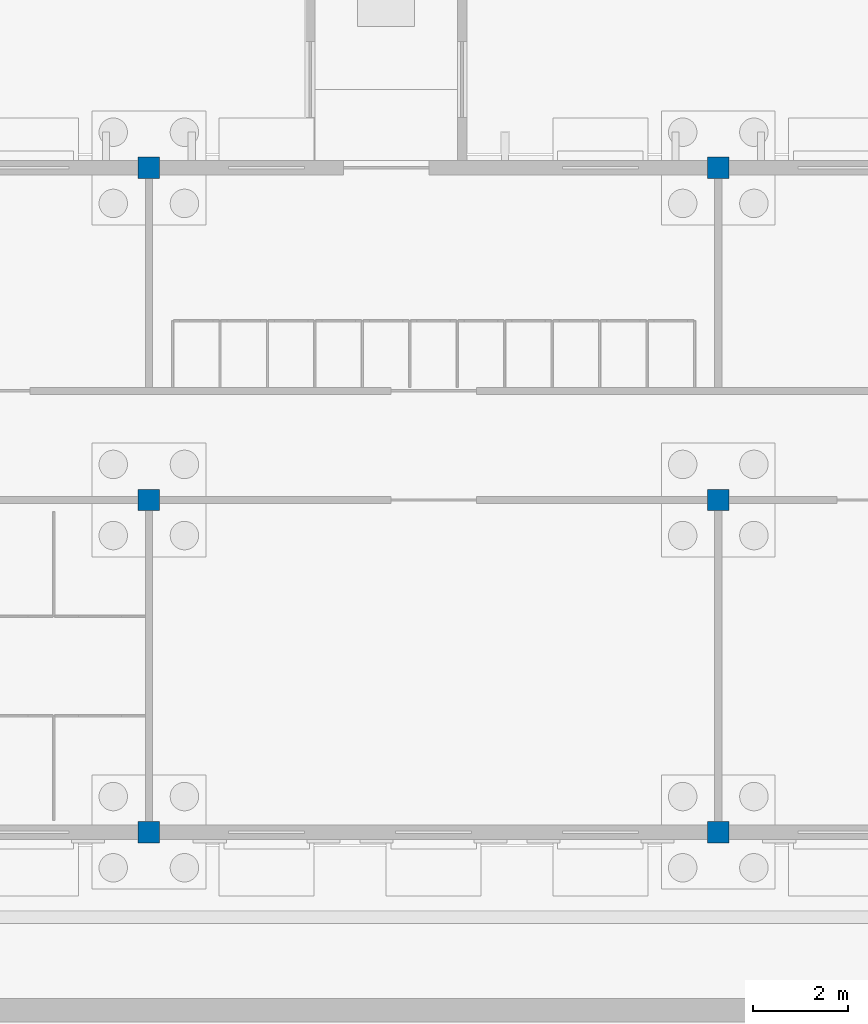
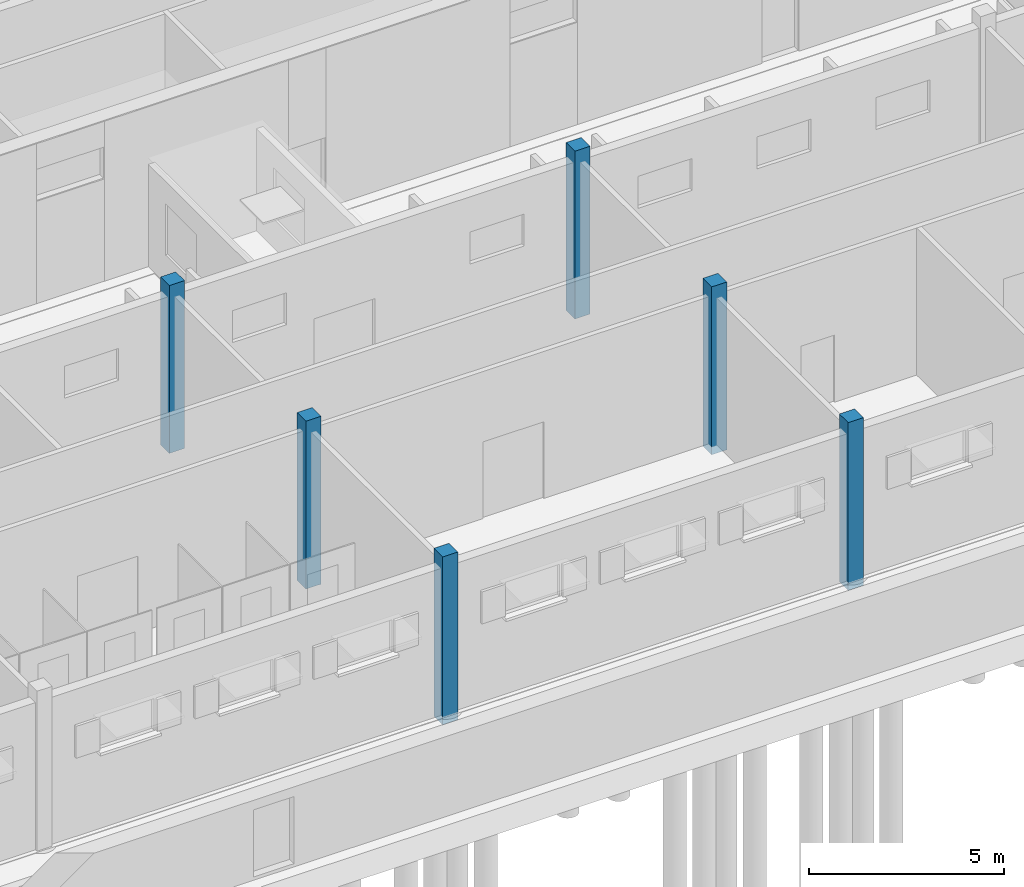
# One storey, part 10 of 157: 6 columns.
"""IFC4 building model written with IfcOpenShell, lengths in metres."""

import ifcopenshell
import ifcopenshell.guid

model = None  # the IFC model being written
_history = None  # IfcOwnerHistory: only IFC2X3 demands one
_inside = {}  # id of a spatial element -> (the spatial element, [elements in it])
_under = {}  # id of a project, library or spatial element -> (it, [spatial elements below it])
_declared = {}  # id of a project -> (the project, [libraries it declares])
_typed = {}  # id of a type object -> (the type object, [elements of that type])
_made_of = {}  # id of a material, layer set ... -> (it, [elements and type objects made of it])


def new_model(schema):
    """Start an empty IFC model of exactly this schema.

    Asked for "IFC4X3", IfcOpenShell would pick the latest addendum, in which some entities
    have other attributes; the version numbers below select the first issue.
    IFC2X3 requires an IfcOwnerHistory on every rooted entity: one is made here for all.
    """
    global model, _history
    if schema == "IFC4X3":
        model = ifcopenshell.file(schema_version=(4, 3, 0, 0))
    else:
        model = ifcopenshell.file(schema=schema)
    _inside.clear()
    _under.clear()
    _declared.clear()
    _typed.clear()
    _made_of.clear()
    _history = None
    if model.schema == "IFC2X3":
        org = make("IfcOrganization", Name="unknown")
        user = make(
            "IfcPersonAndOrganization",
            ThePerson=make("IfcPerson", FamilyName="unknown"),
            TheOrganization=org,
        )
        app = make(
            "IfcApplication",
            ApplicationDeveloper=org,
            Version="unknown",
            ApplicationFullName="unknown",
            ApplicationIdentifier="unknown",
        )
        _history = make(
            "IfcOwnerHistory",
            OwningUser=user,
            OwningApplication=app,
            ChangeAction="ADDED",
            CreationDate=0,
        )
    return model


def make(cls, **values):
    """One entity of the class cls with the attributes given. An attribute that is None is left unset."""
    return model.create_entity(
        cls, **{name: value for name, value in values.items() if value is not None}
    )


def rooted(cls, **values):
    """An entity with a GlobalId (a new one), such as an element, a storey or a relation."""
    return make(cls, GlobalId=ifcopenshell.guid.new(), OwnerHistory=_history, **values)


def si_unit(unit_type, name, prefix=None):
    """IfcSIUnit, for example si_unit("LENGTHUNIT", "METRE", prefix="MILLI")."""
    return make("IfcSIUnit", UnitType=unit_type, Prefix=prefix, Name=name)


def assignment(units):
    """IfcUnitAssignment: the units of a project."""
    return None if units is None else make("IfcUnitAssignment", Units=units)


def point(xyz):
    """IfcCartesianPoint."""
    return None if xyz is None else make("IfcCartesianPoint", Coordinates=xyz)


def direction(xyz):
    """IfcDirection."""
    return None if xyz is None else make("IfcDirection", DirectionRatios=xyz)


def frame(location, z_axis=None, x_axis=None):
    """IfcAxis2Placement3D, a coordinate frame: its origin and axes. An axis left out is left unset."""
    return make(
        "IfcAxis2Placement3D",
        Location=point(location),
        Axis=direction(z_axis),
        RefDirection=direction(x_axis),
    )


def frame_2d(location, x_axis=None):
    """IfcAxis2Placement2D, a coordinate frame in the plane: its origin and x axis."""
    return make(
        "IfcAxis2Placement2D", Location=point(location), RefDirection=direction(x_axis)
    )


def origin():
    """The frame at (0, 0, 0) with its axes left unset."""
    return frame((0.0, 0.0, 0.0))


def origin_2d():
    """The frame at (0, 0) in the plane with its x axis left unset."""
    return frame_2d((0.0, 0.0))


def place(relative_to, where):
    """IfcLocalPlacement: puts the frame where relative to a parent placement (None: the world)."""
    return make(
        "IfcLocalPlacement", PlacementRelTo=relative_to, RelativePlacement=where
    )


def context(
    kind, dimensions, precision=None, world=None, true_north=None, identifier=None
):
    """IfcGeometricRepresentationContext, for example the 3D "Model" context."""
    return make(
        "IfcGeometricRepresentationContext",
        ContextIdentifier=identifier,
        ContextType=kind,
        CoordinateSpaceDimension=dimensions,
        Precision=precision,
        WorldCoordinateSystem=world,
        TrueNorth=true_north,
    )


def subcontext(parent, identifier, kind, view, scale=None):
    """IfcGeometricRepresentationSubContext, for example "Body" below "Model"."""
    return make(
        "IfcGeometricRepresentationSubContext",
        ContextIdentifier=identifier,
        ContextType=kind,
        ParentContext=parent,
        TargetScale=scale,
        TargetView=view,
    )


def project(units=None, contexts=None):
    """IfcProject with its units and contexts."""
    return rooted(
        "IfcProject",
        Name="project",
        RepresentationContexts=contexts,
        UnitsInContext=assignment(units),
    )


def spatial(cls, under=None, at=None, **own):
    """A site, building, storey or space (cls), placed at a placement, below another one or the project."""
    s = rooted(cls, ObjectPlacement=at, **own)
    if under is not None:
        _under.setdefault(under.id(), (under, []))[1].append(s)
    return s


def profile(cls, at=None, kind="AREA", **sizes):
    """A parametric profile (cls). Its sizes go by their IFC names, for example OverallWidth=200.0."""
    return make(cls, ProfileType=kind, Position=at, **sizes)


def rectangle(**sizes):
    """IfcRectangleProfileDef."""
    return profile("IfcRectangleProfileDef", **sizes)


def extrude(swept, where, along, depth):
    """IfcExtrudedAreaSolid: the profile swept, set in the frame where, extruded along a direction by depth."""
    return make(
        "IfcExtrudedAreaSolid",
        SweptArea=swept,
        Position=where,
        ExtrudedDirection=direction(along),
        Depth=depth,
    )


def shape(context_of_items, identifier, shape_type, items):
    """IfcShapeRepresentation: the items that make up one representation, for example the "Body"."""
    return make(
        "IfcShapeRepresentation",
        ContextOfItems=context_of_items,
        RepresentationIdentifier=identifier,
        RepresentationType=shape_type,
        Items=items,
    )


def material(Name=None, Category=None):
    """IfcMaterial."""
    return make("IfcMaterial", Name=Name, Category=Category)


def material_profile(
    of_material, cross_section, Name=None, Category=None, Priority=None
):
    """IfcMaterialProfile: a cross section and its material."""
    return make(
        "IfcMaterialProfile",
        Name=Name,
        Material=of_material,
        Profile=cross_section,
        Priority=Priority,
        Category=Category,
    )


def profile_set(profiles, Name=None, composite=None):
    """IfcMaterialProfileSet."""
    return make(
        "IfcMaterialProfileSet",
        Name=Name,
        MaterialProfiles=profiles,
        CompositeProfile=composite,
    )


def made_of(thing, what):
    """Note that an element or type object is made of a material, layer set ...; save() writes the relation."""
    if what is not None:
        _made_of.setdefault(what.id(), (what, []))[1].append(thing)
    return thing


def type_object(cls, material=None, **own):
    """A type object (cls), such as IfcWallType, which elements share."""
    return made_of(rooted(cls, **own), material)


def element(
    cls,
    number,
    at=None,
    inside=None,
    cuts=None,
    type_object=None,
    material=None,
    context=None,
    identifier="Body",
    shape_type=None,
    held_by="IfcProductDefinitionShape",
    body=None,
    shapes=None,
    **own,
):
    """One element of the class cls, such as IfcWall. Its Tag is "e" and its number.

    at: its placement. inside: the storey or other place that contains it. cuts: it is an
    opening in that element (IfcRelVoidsElement). A single representation is given by context,
    identifier, shape_type and body (its items); several are given by shapes. held_by: the class
    of the entity that holds the representations. save() writes the other relations.
    """
    e = rooted(cls, Tag="e%d" % number, ObjectPlacement=at, **own)
    if body is not None:
        shapes = [shape(context, identifier, shape_type, body)]
    if shapes is not None:
        e.Representation = make(held_by, Representations=shapes)
    if inside is not None:
        _inside.setdefault(inside.id(), (inside, []))[1].append(e)
    if cuts is not None:
        rooted(
            "IfcRelVoidsElement", RelatingBuildingElement=cuts, RelatedOpeningElement=e
        )
    if type_object is not None:
        _typed.setdefault(type_object.id(), (type_object, []))[1].append(e)
    return made_of(e, material)


def aggregate(whole, parts):
    """IfcRelAggregates: a whole, such as a stair, and the parts it consists of."""
    return rooted("IfcRelAggregates", RelatingObject=whole, RelatedObjects=parts)


def save(model, path):
    """Write the relations noted so far, then the file.

    IfcRelAggregates (storeys below a building ...), IfcRelContainedInSpatialStructure (elements
    in a storey), IfcRelDefinesByType, IfcRelAssociatesMaterial and IfcRelDeclares: one each for
    every whole, place, type object, material and project.
    """
    for whole, parts in _under.values():
        aggregate(whole, parts)
    for where, things in _inside.values():
        rooted(
            "IfcRelContainedInSpatialStructure",
            RelatedElements=things,
            RelatingStructure=where,
        )
    for kind, things in _typed.values():
        rooted("IfcRelDefinesByType", RelatedObjects=things, RelatingType=kind)
    for what, things in _made_of.values():
        rooted("IfcRelAssociatesMaterial", RelatedObjects=things, RelatingMaterial=what)
    for by, libraries in _declared.values():
        rooted("IfcRelDeclares", RelatingContext=by, RelatedDefinitions=libraries)
    model.write(path)


model = new_model("IFC4")

# Units and contexts
model_context = context("Model", 3, precision=1e-05, world=origin(), true_north=direction((0.0, 1.0)))
body_context = subcontext(model_context, "Body", "Model", "MODEL_VIEW")
ifc_project = project(units=[si_unit("LENGTHUNIT", "METRE"), si_unit("AREAUNIT", "SQUARE_METRE"), si_unit("VOLUMEUNIT", "CUBIC_METRE"), si_unit("PLANEANGLEUNIT", "RADIAN"), si_unit("MASSUNIT", "GRAM", prefix="KILO")], contexts=[model_context])

# Site, building, storey
site_placement = place(None, origin())
site = spatial("IfcSite", under=ifc_project, at=site_placement, CompositionType="ELEMENT")
building_placement = place(site_placement, origin())
building = spatial("IfcBuilding", under=site, at=building_placement, Name="Windward Yard Aquatics Centre", CompositionType="ELEMENT")
storey_placement = place(building_placement, origin())
storey = spatial("IfcBuildingStorey", under=building, at=storey_placement, Name="L00", CompositionType="ELEMENT", Elevation=0.0)

# Columns
ifc_material = material(Name="Concrete C35/45", Category="concrete")
ifc_material_profile = material_profile(ifc_material, rectangle(XDim=0.449951171875, YDim=0.449951171875, at=origin_2d()), Name="RC 450X450")
ifc_profile_set = profile_set([ifc_material_profile], Name="Concrete C35/45")
column_type = type_object("IfcColumnType", Name="C column RC 450X450", PredefinedType="COLUMN", material=ifc_profile_set)
for number, where, z_axis, x_axis, name in (
    (1, (108.0, 5.0, -0.25), (0.0, 0.0, 1.0), (1.0, 0.0, 0.0), "C.COL.L00.6.1"),
    (2, (108.0, 12.0, -0.25), (0.0, 0.0, 1.0), (1.0, 0.0, 0.0), "C.COL.L00.6.2"),
    (3, (108.0, 19.0, -0.25), (0.0, 0.0, 1.0), (1.0, 0.0, 0.0), "C.COL.L00.6.3"),
    (4, (120.0, 5.0, -0.25), (0.0, 0.0, 1.0), (1.0, 0.0, 0.0), "C.COL.L00.7.1"),
    (5, (120.0, 12.0, -0.25), (0.0, 0.0, 1.0), (1.0, 0.0, 0.0), "C.COL.L00.7.2"),
    (6, (120.0, 19.0, -0.25), (0.0, 0.0, 1.0), (1.0, 0.0, 0.0), "C.COL.L00.7.3"),
):
    element("IfcColumn", number, at=place(storey_placement, frame(where, z_axis=z_axis, x_axis=x_axis)), inside=storey, type_object=column_type, Name=name, PredefinedType="COLUMN", context=body_context, shape_type="SweptSolid", body=[
        extrude(rectangle(XDim=0.449951171875, YDim=0.449951171875, at=origin_2d()), origin(), (0.0, 0.0, 1.0), 5.25),
    ])

save(model, "model.ifc")
